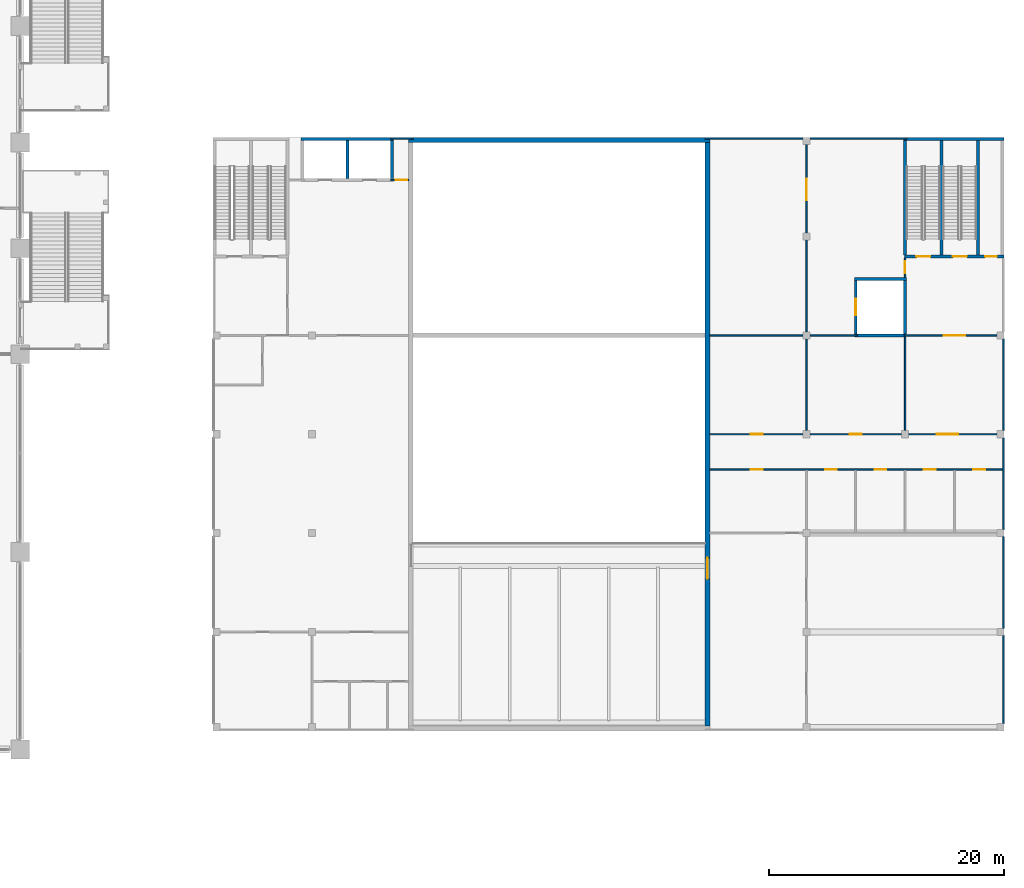
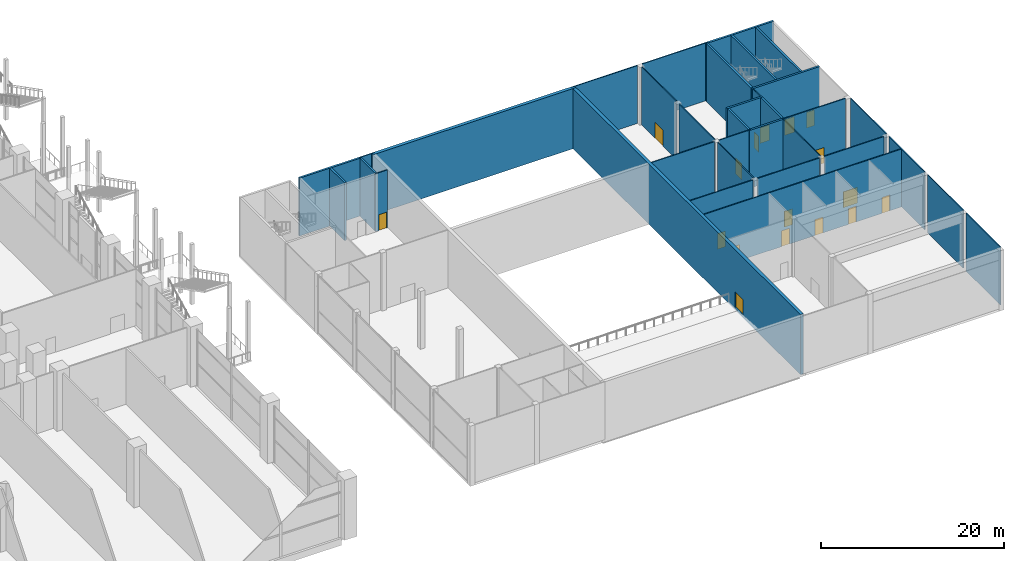
# One storey, part 32 of 52: 34 walls, 17 doors, 17 openings.
"""IFC4 building model written with IfcOpenShell, lengths in metres."""

from ifc_helpers import new_model, si_unit, direction, frame, frame_2d, origin, place, context, subcontext, project, spatial, rectangle, extrude, material, layer, layer_set, type_object, element, fill, save


model = new_model("IFC4")

# Units and contexts
model_context = context("Model", 3, precision=1e-05, world=origin(), true_north=direction((0.0, 1.0)))
body_context = subcontext(model_context, "Body", "Model", "MODEL_VIEW")
ifc_project = project(units=[si_unit("LENGTHUNIT", "METRE"), si_unit("AREAUNIT", "SQUARE_METRE"), si_unit("VOLUMEUNIT", "CUBIC_METRE"), si_unit("PLANEANGLEUNIT", "RADIAN"), si_unit("MASSUNIT", "GRAM", prefix="KILO")], contexts=[model_context])

# Site, building, storey
site_placement = place(None, origin())
site = spatial("IfcSite", under=ifc_project, at=site_placement, CompositionType="ELEMENT")
building_placement = place(site_placement, origin())
building = spatial("IfcBuilding", under=site, at=building_placement, Name="Candeia Pilgrim Tower and Theatre", CompositionType="ELEMENT")
storey_placement = place(building_placement, frame((0.0, 0.0, 9.0)))
storey = spatial("IfcBuildingStorey", under=building, at=storey_placement, Name="L01", CompositionType="ELEMENT", Elevation=9.0)

# Wall, openings, doors
ifc_material_1 = material(Name="Gypsum board on steel studs", Category="steel")
ifc_layer_1 = layer(ifc_material_1, 0.125)
ifc_layer_set_1 = layer_set([ifc_layer_1], Name="Partition 125")
wall_type_1 = type_object("IfcWallType", Name="Partition 125", PredefinedType="PARTITIONING", material=ifc_layer_set_1)
wall_1_placement = place(storey_placement, frame((218.199951171875, 88.199951171875, 0.0), z_axis=(0.0, 0.0, 1.0), x_axis=(1.0, 0.0, 0.0)))
wall_1 = element("IfcWall", 1, at=wall_1_placement, inside=storey, type_object=wall_type_1, Name="T-L01-W011", PredefinedType="PARTITIONING", context=body_context, shape_type="SweptSolid", body=[
    extrude(rectangle(XDim=24.875, YDim=0.125, at=frame_2d((12.4375, 0.0))), origin(), (0.0, 0.0, 1.0), 7.699951171875),
])
opening_1_placement = place(wall_1_placement, frame((3.5, 0.0, 0.0)))
opening_1 = element("IfcOpeningElement", 2, at=opening_1_placement, cuts=wall_1, Name="Opening TD-L01-025", PredefinedType="OPENING", context=body_context, shape_type="SweptSolid", body=[
    extrude(rectangle(XDim=1.0, YDim=2.10009765625, at=frame_2d((0.5, 1.050048828125))), frame((0.0, 0.072509765625, 0.0), z_axis=(0.0, -1.0, 0.0), x_axis=(1.0, 0.0, 0.0)), (0.0, 0.0, 1.0), 0.14501953125),
])
opening_2_placement = place(wall_1_placement, frame((9.800048828125, 0.0, 0.0)))
opening_2 = element("IfcOpeningElement", 3, at=opening_2_placement, cuts=wall_1, Name="Opening TD-L01-026", PredefinedType="OPENING", context=body_context, shape_type="SweptSolid", body=[
    extrude(rectangle(XDim=1.0, YDim=2.10009765625, at=frame_2d((0.5, 1.050048828125))), frame((0.0, 0.072509765625, 0.0), z_axis=(0.0, -1.0, 0.0), x_axis=(1.0, 0.0, 0.0)), (0.0, 0.0, 1.0), 0.14501953125),
])
opening_3_placement = place(wall_1_placement, frame((14.0, 0.0, 0.0)))
opening_3 = element("IfcOpeningElement", 4, at=opening_3_placement, cuts=wall_1, Name="Opening TD-L01-027", PredefinedType="OPENING", context=body_context, shape_type="SweptSolid", body=[
    extrude(rectangle(XDim=1.0, YDim=2.10009765625, at=frame_2d((0.5, 1.050048828125))), frame((0.0, 0.072509765625, 0.0), z_axis=(0.0, -1.0, 0.0), x_axis=(1.0, 0.0, 0.0)), (0.0, 0.0, 1.0), 0.14501953125),
])
opening_4_placement = place(wall_1_placement, frame((18.199951171875, 0.0, 0.0)))
opening_4 = element("IfcOpeningElement", 5, at=opening_4_placement, cuts=wall_1, Name="Opening TD-L01-028", PredefinedType="OPENING", context=body_context, shape_type="SweptSolid", body=[
    extrude(rectangle(XDim=1.0, YDim=2.10009765625, at=frame_2d((0.5, 1.050048828125))), frame((0.0, 0.072509765625, 0.0), z_axis=(0.0, -1.0, 0.0), x_axis=(1.0, 0.0, 0.0)), (0.0, 0.0, 1.0), 0.14501953125),
])
opening_5_placement = place(wall_1_placement, frame((22.39990234375, 0.0, 0.0)))
opening_5 = element("IfcOpeningElement", 6, at=opening_5_placement, cuts=wall_1, Name="Opening TD-L01-029", PredefinedType="OPENING", context=body_context, shape_type="SweptSolid", body=[
    extrude(rectangle(XDim=1.0, YDim=2.10009765625, at=frame_2d((0.5, 1.050048828125))), frame((0.0, 0.072509765625, 0.0), z_axis=(0.0, -1.0, 0.0), x_axis=(1.0, 0.0, 0.0)), (0.0, 0.0, 1.0), 0.14501953125),
])
ifc_material_2 = material(Name="Timber door leaf", Category="wood")
door_type_1 = type_object("IfcDoorType", Name="Door single 1000x2100", OperationType="NOTDEFINED", PredefinedType="DOOR", material=ifc_material_2)
door_1_placement = place(opening_1_placement, origin())
door_1 = element("IfcDoor", 7, at=door_1_placement, inside=storey, type_object=door_type_1, Name="Door TD-L01-025", OperationType="SINGLE_SWING_LEFT", OverallHeight=2.10009765625, OverallWidth=1.0, PredefinedType="DOOR", context=body_context, shape_type="SweptSolid", body=[
    extrude(rectangle(XDim=1.0, YDim=2.10009765625, at=frame_2d((0.5, 1.050048828125))), frame((0.0, 0.02490234375, 0.0), z_axis=(0.0, -1.0, 0.0), x_axis=(1.0, 0.0, 0.0)), (0.0, 0.0, 1.0), 0.050048828125),
])
fill(opening_1, door_1)
door_2_placement = place(opening_2_placement, origin())
door_2 = element("IfcDoor", 8, at=door_2_placement, inside=storey, type_object=door_type_1, Name="Door TD-L01-026", OperationType="SINGLE_SWING_RIGHT", OverallHeight=2.10009765625, OverallWidth=1.0, PredefinedType="DOOR", context=body_context, shape_type="SweptSolid", body=[
    extrude(rectangle(XDim=1.0, YDim=2.10009765625, at=frame_2d((0.5, 1.050048828125))), frame((0.0, 0.02490234375, 0.0), z_axis=(0.0, -1.0, 0.0), x_axis=(1.0, 0.0, 0.0)), (0.0, 0.0, 1.0), 0.050048828125),
])
fill(opening_2, door_2)
door_3_placement = place(opening_3_placement, origin())
door_3 = element("IfcDoor", 9, at=door_3_placement, inside=storey, type_object=door_type_1, Name="Door TD-L01-027", OperationType="SINGLE_SWING_LEFT", OverallHeight=2.10009765625, OverallWidth=1.0, PredefinedType="DOOR", context=body_context, shape_type="SweptSolid", body=[
    extrude(rectangle(XDim=1.0, YDim=2.10009765625, at=frame_2d((0.5, 1.050048828125))), frame((0.0, 0.02490234375, 0.0), z_axis=(0.0, -1.0, 0.0), x_axis=(1.0, 0.0, 0.0)), (0.0, 0.0, 1.0), 0.050048828125),
])
fill(opening_3, door_3)
door_4_placement = place(opening_4_placement, origin())
door_4 = element("IfcDoor", 10, at=door_4_placement, inside=storey, type_object=door_type_1, Name="Door TD-L01-028", OperationType="SINGLE_SWING_RIGHT", OverallHeight=2.10009765625, OverallWidth=1.0, PredefinedType="DOOR", context=body_context, shape_type="SweptSolid", body=[
    extrude(rectangle(XDim=1.0, YDim=2.10009765625, at=frame_2d((0.5, 1.050048828125))), frame((0.0, 0.02490234375, 0.0), z_axis=(0.0, -1.0, 0.0), x_axis=(1.0, 0.0, 0.0)), (0.0, 0.0, 1.0), 0.050048828125),
])
fill(opening_4, door_4)
door_5_placement = place(opening_5_placement, origin())
door_5 = element("IfcDoor", 11, at=door_5_placement, inside=storey, type_object=door_type_1, Name="Door TD-L01-029", OperationType="SINGLE_SWING_LEFT", OverallHeight=2.10009765625, OverallWidth=1.0, PredefinedType="DOOR", context=body_context, shape_type="SweptSolid", body=[
    extrude(rectangle(XDim=1.0, YDim=2.10009765625, at=frame_2d((0.5, 1.050048828125))), frame((0.0, 0.02490234375, 0.0), z_axis=(0.0, -1.0, 0.0), x_axis=(1.0, 0.0, 0.0)), (0.0, 0.0, 1.0), 0.050048828125),
])
fill(opening_5, door_5)

# Wall, opening, door
wall_2_placement = place(storey_placement, frame((218.199951171875, 91.199951171875, 0.0), z_axis=(0.0, 0.0, 1.0), x_axis=(1.0, 0.0, 0.0)))
wall_2 = element("IfcWall", 12, at=wall_2_placement, inside=storey, type_object=wall_type_1, Name="T-L01-W012", PredefinedType="PARTITIONING", context=body_context, shape_type="SweptSolid", body=[
    extrude(rectangle(XDim=7.900146484375, YDim=0.125, at=frame_2d((3.9501953125, 0.0))), origin(), (0.0, 0.0, 1.0), 7.699951171875),
])
opening_6_placement = place(wall_2_placement, frame((3.5, 0.0, 0.0)))
opening_6 = element("IfcOpeningElement", 13, at=opening_6_placement, cuts=wall_2, Name="Opening TD-L01-030", PredefinedType="OPENING", context=body_context, shape_type="SweptSolid", body=[
    extrude(rectangle(XDim=1.0, YDim=2.10009765625, at=frame_2d((0.5, 1.050048828125))), frame((0.0, 0.072509765625, 0.0), z_axis=(0.0, -1.0, 0.0), x_axis=(1.0, 0.0, 0.0)), (0.0, 0.0, 1.0), 0.14501953125),
])
door_6_placement = place(opening_6_placement, origin())
door_6 = element("IfcDoor", 14, at=door_6_placement, inside=storey, type_object=door_type_1, Name="Door TD-L01-030", OperationType="SINGLE_SWING_RIGHT", OverallHeight=2.10009765625, OverallWidth=1.0, PredefinedType="DOOR", context=body_context, shape_type="SweptSolid", body=[
    extrude(rectangle(XDim=1.0, YDim=2.10009765625, at=frame_2d((0.5, 1.050048828125))), frame((0.0, 0.02490234375, 0.0), z_axis=(0.0, -1.0, 0.0), x_axis=(1.0, 0.0, 0.0)), (0.0, 0.0, 1.0), 0.050048828125),
])
fill(opening_6, door_6)

wall_3_placement = place(storey_placement, frame((226.699951171875, 91.199951171875, 0.0), z_axis=(0.0, 0.0, 1.0), x_axis=(1.0, 0.0, 0.0)))
wall_3 = element("IfcWall", 15, at=wall_3_placement, inside=storey, type_object=wall_type_1, Name="T-L01-W013", PredefinedType="PARTITIONING", context=body_context, shape_type="SweptSolid", body=[
    extrude(rectangle(XDim=7.800048828125, YDim=0.125, at=frame_2d((3.89990234375, 0.0))), origin(), (0.0, 0.0, 1.0), 7.699951171875),
])
opening_7_placement = place(wall_3_placement, frame((3.39990234375, 0.0, 0.0)))
opening_7 = element("IfcOpeningElement", 16, at=opening_7_placement, cuts=wall_3, Name="Opening TD-L01-031", PredefinedType="OPENING", context=body_context, shape_type="SweptSolid", body=[
    extrude(rectangle(XDim=1.0, YDim=2.10009765625, at=frame_2d((0.5, 1.050048828125))), frame((0.0, 0.072509765625, 0.0), z_axis=(0.0, -1.0, 0.0), x_axis=(1.0, 0.0, 0.0)), (0.0, 0.0, 1.0), 0.14501953125),
])
door_7_placement = place(opening_7_placement, origin())
door_7 = element("IfcDoor", 17, at=door_7_placement, inside=storey, type_object=door_type_1, Name="Door TD-L01-031", OperationType="SINGLE_SWING_LEFT", OverallHeight=2.10009765625, OverallWidth=1.0, PredefinedType="DOOR", context=body_context, shape_type="SweptSolid", body=[
    extrude(rectangle(XDim=1.0, YDim=2.10009765625, at=frame_2d((0.5, 1.050048828125))), frame((0.0, 0.02490234375, 0.0), z_axis=(0.0, -1.0, 0.0), x_axis=(1.0, 0.0, 0.0)), (0.0, 0.0, 1.0), 0.050048828125),
])
fill(opening_7, door_7)

wall_4_placement = place(storey_placement, frame((235.10009765625, 91.199951171875, 0.0), z_axis=(0.0, 0.0, 1.0), x_axis=(1.0, 0.0, 0.0)))
wall_4 = element("IfcWall", 18, at=wall_4_placement, inside=storey, type_object=wall_type_1, Name="T-L01-W014", PredefinedType="PARTITIONING", context=body_context, shape_type="SweptSolid", body=[
    extrude(rectangle(XDim=7.5, YDim=0.125, at=frame_2d((3.75, 0.0))), origin(), (0.0, 0.0, 1.0), 7.699951171875),
])
opening_8_placement = place(wall_4_placement, frame((2.39990234375, 0.0, 0.0)))
opening_8 = element("IfcOpeningElement", 19, at=opening_8_placement, cuts=wall_4, Name="Opening TD-L01-032", PredefinedType="OPENING", context=body_context, shape_type="SweptSolid", body=[
    extrude(rectangle(XDim=1.800048828125, YDim=2.10009765625, at=frame_2d((0.89990234375, 1.050048828125))), frame((0.0, 0.072509765625, 0.0), z_axis=(0.0, -1.0, 0.0), x_axis=(1.0, 0.0, 0.0)), (0.0, 0.0, 1.0), 0.14501953125),
])
door_type_2 = type_object("IfcDoorType", Name="Door double 1800x2100", OperationType="DOUBLE_DOOR_SINGLE_SWING", PredefinedType="DOOR", material=ifc_material_2)
door_8_placement = place(opening_8_placement, origin())
door_8 = element("IfcDoor", 20, at=door_8_placement, inside=storey, type_object=door_type_2, Name="Door TD-L01-032", OperationType="DOUBLE_DOOR_SINGLE_SWING", OverallHeight=2.10009765625, OverallWidth=1.800048828125, PredefinedType="DOOR", context=body_context, shape_type="SweptSolid", body=[
    extrude(rectangle(XDim=1.800048828125, YDim=2.10009765625, at=frame_2d((0.89990234375, 1.050048828125))), frame((0.0, 0.02490234375, 0.0), z_axis=(0.0, -1.0, 0.0), x_axis=(1.0, 0.0, 0.0)), (0.0, 0.0, 1.0), 0.050048828125),
])
fill(opening_8, door_8)

# Walls
wall_5_placement = place(storey_placement, frame((218.199951171875, 99.60009765625, 0.0), z_axis=(0.0, 0.0, 1.0), x_axis=(1.0, 0.0, 0.0)))
element("IfcWall", 21, at=wall_5_placement, inside=storey, type_object=wall_type_1, Name="T-L01-W019", PredefinedType="PARTITIONING", context=body_context, shape_type="SweptSolid", body=[
    extrude(rectangle(XDim=7.900146484375, YDim=0.125, at=frame_2d((3.9501953125, 0.0))), origin(), (0.0, 0.0, 1.0), 7.699951171875),
])
wall_6_placement = place(storey_placement, frame((226.699951171875, 99.60009765625, 0.0), z_axis=(0.0, 0.0, 1.0), x_axis=(1.0, 0.0, 0.0)))
element("IfcWall", 22, at=wall_6_placement, inside=storey, type_object=wall_type_1, Name="T-L01-W020", PredefinedType="PARTITIONING", context=body_context, shape_type="SweptSolid", body=[
    extrude(rectangle(XDim=4.025146484375, YDim=0.125, at=frame_2d((2.0126953125, 0.0))), origin(), (0.0, 0.0, 1.0), 7.699951171875),
])

# Wall, opening, door
wall_7_placement = place(storey_placement, frame((234.737548828125, 99.60009765625, 0.0), z_axis=(0.0, 0.0, 1.0), x_axis=(1.0, 0.0, 0.0)))
wall_7 = element("IfcWall", 23, at=wall_7_placement, inside=storey, type_object=wall_type_1, Name="T-L01-W022", PredefinedType="PARTITIONING", context=body_context, shape_type="SweptSolid", body=[
    extrude(rectangle(XDim=7.862548828125, YDim=0.125, at=frame_2d((3.93115234375, 0.0))), origin(), (0.0, 0.0, 1.0), 7.699951171875),
])
opening_9_placement = place(wall_7_placement, frame((3.362548828125, 0.0, 0.0)))
opening_9 = element("IfcOpeningElement", 24, at=opening_9_placement, cuts=wall_7, Name="Opening TD-L01-033", PredefinedType="OPENING", context=body_context, shape_type="SweptSolid", body=[
    extrude(rectangle(XDim=1.800048828125, YDim=2.10009765625, at=frame_2d((0.89990234375, 1.050048828125))), frame((0.0, 0.072509765625, 0.0), z_axis=(0.0, -1.0, 0.0), x_axis=(1.0, 0.0, 0.0)), (0.0, 0.0, 1.0), 0.14501953125),
])
door_9_placement = place(opening_9_placement, origin())
door_9 = element("IfcDoor", 25, at=door_9_placement, inside=storey, type_object=door_type_2, Name="Door TD-L01-033", OperationType="DOUBLE_DOOR_SINGLE_SWING", OverallHeight=2.10009765625, OverallWidth=1.800048828125, PredefinedType="DOOR", context=body_context, shape_type="SweptSolid", body=[
    extrude(rectangle(XDim=1.800048828125, YDim=2.10009765625, at=frame_2d((0.89990234375, 1.050048828125))), frame((0.0, 0.02490234375, 0.0), z_axis=(0.0, -1.0, 0.0), x_axis=(1.0, 0.0, 0.0)), (0.0, 0.0, 1.0), 0.050048828125),
])
fill(opening_9, door_9)

wall_8_placement = place(storey_placement, frame((191.074951171875, 112.800048828125, 0.0), z_axis=(0.0, 0.0, 1.0), x_axis=(1.0, 0.0, 0.0)))
wall_8 = element("IfcWall", 26, at=wall_8_placement, inside=storey, type_object=wall_type_1, Name="T-L01-W028", PredefinedType="PARTITIONING", context=body_context, shape_type="SweptSolid", body=[
    extrude(rectangle(XDim=1.525146484375, YDim=0.125, at=frame_2d((0.7626953125, 0.0))), origin(), (0.0, 0.0, 1.0), 7.699951171875),
])
opening_10_placement = place(wall_8_placement, frame((0.425048828125, 0.0, 0.0)))
opening_10 = element("IfcOpeningElement", 27, at=opening_10_placement, cuts=wall_8, Name="Opening TD-L01-006", PredefinedType="OPENING", context=body_context, shape_type="SweptSolid", body=[
    extrude(rectangle(XDim=1.0, YDim=2.10009765625, at=frame_2d((0.5, 1.050048828125))), frame((0.0, 0.072509765625, 0.0), z_axis=(0.0, -1.0, 0.0), x_axis=(1.0, 0.0, 0.0)), (0.0, 0.0, 1.0), 0.14501953125),
])
ifc_material_3 = material(Name="Steel fire door leaf", Category="steel")
door_type_3 = type_object("IfcDoorType", Name="Door fire single 1000x2100", OperationType="NOTDEFINED", PredefinedType="DOOR", material=ifc_material_3)
door_10_placement = place(opening_10_placement, origin())
door_10 = element("IfcDoor", 28, at=door_10_placement, inside=storey, type_object=door_type_3, Name="Door TD-L01-006", OperationType="SINGLE_SWING_RIGHT", OverallHeight=2.10009765625, OverallWidth=1.0, PredefinedType="DOOR", context=body_context, shape_type="SweptSolid", body=[
    extrude(rectangle(XDim=1.0, YDim=2.10009765625, at=frame_2d((0.5, 1.050048828125))), frame((0.0, 0.02490234375, 0.0), z_axis=(0.0, -1.0, 0.0), x_axis=(1.0, 0.0, 0.0)), (0.0, 0.0, 1.0), 0.050048828125),
])
fill(opening_10, door_10)

# Walls
wall_9_placement = place(storey_placement, frame((191.074951171875, 116.33740234375, 0.0), z_axis=(0.0, 0.0, 1.0), x_axis=(1.0, 0.0, 0.0)))
element("IfcWall", 29, at=wall_9_placement, inside=storey, type_object=wall_type_1, Name="T-L01-W033", PredefinedType="PARTITIONING", context=body_context, shape_type="SweptSolid", body=[
    extrude(rectangle(XDim=1.925048828125, YDim=0.125, at=frame_2d((0.96240234375, 0.0))), origin(), (0.0, 0.0, 1.0), 7.699951171875),
])
wall_10_placement = place(storey_placement, frame((217.800048828125, 116.33740234375, 0.0), z_axis=(0.0, 0.0, 1.0), x_axis=(1.0, 0.0, 0.0)))
element("IfcWall", 30, at=wall_10_placement, inside=storey, type_object=wall_type_1, Name="T-L01-W034", PredefinedType="PARTITIONING", context=body_context, shape_type="SweptSolid", body=[
    extrude(rectangle(XDim=8.300048828125, YDim=0.125, at=frame_2d((4.14990234375, 0.0))), origin(), (0.0, 0.0, 1.0), 7.699951171875),
])
wall_11_placement = place(storey_placement, frame((226.699951171875, 116.33740234375, 0.0), z_axis=(0.0, 0.0, 1.0), x_axis=(1.0, 0.0, 0.0)))
element("IfcWall", 31, at=wall_11_placement, inside=storey, type_object=wall_type_1, Name="T-L01-W035", PredefinedType="PARTITIONING", context=body_context, shape_type="SweptSolid", body=[
    extrude(rectangle(XDim=8.22509765625, YDim=0.125, at=frame_2d((4.112548828125, 0.0))), origin(), (0.0, 0.0, 1.0), 7.699951171875),
])
for number, where, z_axis, x_axis, name in (
    (32, (226.39990234375, 91.5, 0.0), (0.0, 0.0, 1.0), (0.0, 1.0, 0.0), "T-L01-W053"),
    (33, (226.39990234375, 99.89990234375, 0.0), (0.0, 0.0, 1.0), (0.0, 1.0, 0.0), "T-L01-W054"),
):
    element("IfcWall", number, at=place(storey_placement, frame(where, z_axis=z_axis, x_axis=x_axis)), inside=storey, type_object=wall_type_1, Name=name, PredefinedType="PARTITIONING", context=body_context, shape_type="SweptSolid", body=[
        extrude(rectangle(XDim=7.800048828125, YDim=0.125, at=frame_2d((3.89990234375, 0.0))), origin(), (0.0, 0.0, 1.0), 7.699951171875),
    ])

# Wall, opening, door
wall_12_placement = place(storey_placement, frame((226.39990234375, 108.300048828125, 0.0), z_axis=(0.0, 0.0, 1.0), x_axis=(0.0, 1.0, 0.0)))
wall_12 = element("IfcWall", 34, at=wall_12_placement, inside=storey, type_object=wall_type_1, Name="T-L01-W055", PredefinedType="PARTITIONING", context=body_context, shape_type="SweptSolid", body=[
    extrude(rectangle(XDim=7.5, YDim=0.125, at=frame_2d((3.75, 0.0))), origin(), (0.0, 0.0, 1.0), 7.699951171875),
])
opening_11_placement = place(wall_12_placement, frame((2.800048828125, 0.0, 0.0)))
opening_11 = element("IfcOpeningElement", 35, at=opening_11_placement, cuts=wall_12, Name="Opening TD-L01-034", PredefinedType="OPENING", context=body_context, shape_type="SweptSolid", body=[
    extrude(rectangle(XDim=1.800048828125, YDim=2.10009765625, at=frame_2d((0.89990234375, 1.050048828125))), frame((0.0, 0.072509765625, 0.0), z_axis=(0.0, -1.0, 0.0), x_axis=(1.0, 0.0, 0.0)), (0.0, 0.0, 1.0), 0.14501953125),
])
door_11_placement = place(opening_11_placement, origin())
door_11 = element("IfcDoor", 36, at=door_11_placement, inside=storey, type_object=door_type_2, Name="Door TD-L01-034", OperationType="DOUBLE_DOOR_SINGLE_SWING", OverallHeight=2.10009765625, OverallWidth=1.800048828125, PredefinedType="DOOR", context=body_context, shape_type="SweptSolid", body=[
    extrude(rectangle(XDim=1.800048828125, YDim=2.10009765625, at=frame_2d((0.89990234375, 1.050048828125))), frame((0.0, 0.02490234375, 0.0), z_axis=(0.0, -1.0, 0.0), x_axis=(1.0, 0.0, 0.0)), (0.0, 0.0, 1.0), 0.050048828125),
])
fill(opening_11, door_11)

# Wall
wall_13_placement = place(storey_placement, frame((234.800048828125, 91.5, 0.0), z_axis=(0.0, 0.0, 1.0), x_axis=(0.0, 1.0, 0.0)))
element("IfcWall", 37, at=wall_13_placement, inside=storey, type_object=wall_type_1, Name="T-L01-W059", PredefinedType="PARTITIONING", context=body_context, shape_type="SweptSolid", body=[
    extrude(rectangle(XDim=7.97509765625, YDim=0.125, at=frame_2d((3.987548828125, 0.0))), origin(), (0.0, 0.0, 1.0), 7.699951171875),
])

# Wall, opening, door
wall_14_placement = place(storey_placement, frame((234.800048828125, 104.52490234375, 0.0), z_axis=(0.0, 0.0, 1.0), x_axis=(0.0, 1.0, 0.0)))
wall_14 = element("IfcWall", 38, at=wall_14_placement, inside=storey, type_object=wall_type_1, Name="T-L01-W061", PredefinedType="PARTITIONING", context=body_context, shape_type="SweptSolid", body=[
    extrude(rectangle(XDim=1.650146484375, YDim=0.125, at=frame_2d((0.8251953125, 0.0))), origin(), (0.0, 0.0, 1.0), 7.699951171875),
])
opening_12_placement = place(wall_14_placement, frame((0.375, 0.0, 0.0)))
opening_12 = element("IfcOpeningElement", 39, at=opening_12_placement, cuts=wall_14, Name="Opening TD-L01-010", PredefinedType="OPENING", context=body_context, shape_type="SweptSolid", body=[
    extrude(rectangle(XDim=1.0, YDim=2.10009765625, at=frame_2d((0.5, 1.050048828125))), frame((0.0, 0.072509765625, 0.0), z_axis=(0.0, -1.0, 0.0), x_axis=(1.0, 0.0, 0.0)), (0.0, 0.0, 1.0), 0.14501953125),
])
door_12_placement = place(opening_12_placement, origin())
door_12 = element("IfcDoor", 40, at=door_12_placement, inside=storey, type_object=door_type_3, Name="Door TD-L01-010", OperationType="SINGLE_SWING_RIGHT", OverallHeight=2.10009765625, OverallWidth=1.0, PredefinedType="DOOR", context=body_context, shape_type="SweptSolid", body=[
    extrude(rectangle(XDim=1.0, YDim=2.10009765625, at=frame_2d((0.5, 1.050048828125))), frame((0.0, 0.02490234375, 0.0), z_axis=(0.0, -1.0, 0.0), x_axis=(1.0, 0.0, 0.0)), (0.0, 0.0, 1.0), 0.050048828125),
])
fill(opening_12, door_12)

# Walls
wall_15_placement = place(storey_placement, frame((243.137451171875, 66.60009765625, 0.0), z_axis=(0.0, 0.0, 1.0), x_axis=(0.0, 1.0, 0.0)))
element("IfcWall", 41, at=wall_15_placement, inside=storey, type_object=wall_type_1, Name="T-L01-W067", PredefinedType="PARTITIONING", context=body_context, shape_type="SweptSolid", body=[
    extrude(rectangle(XDim=7.5, YDim=0.125, at=frame_2d((3.75, 0.0))), origin(), (0.0, 0.0, 1.0), 7.699951171875),
])
wall_16_placement = place(storey_placement, frame((243.137451171875, 74.699951171875, 0.0), z_axis=(0.0, 0.0, 1.0), x_axis=(0.0, 1.0, 0.0)))
element("IfcWall", 42, at=wall_16_placement, inside=storey, type_object=wall_type_1, Name="T-L01-W068", PredefinedType="PARTITIONING", context=body_context, shape_type="SweptSolid", body=[
    extrude(rectangle(XDim=7.800048828125, YDim=0.125, at=frame_2d((3.89990234375, 0.0))), origin(), (0.0, 0.0, 1.0), 7.699951171875),
])
wall_17_placement = place(storey_placement, frame((243.137451171875, 83.10009765625, 0.0), z_axis=(0.0, 0.0, 1.0), x_axis=(0.0, 1.0, 0.0)))
element("IfcWall", 43, at=wall_17_placement, inside=storey, type_object=wall_type_1, Name="T-L01-W069", PredefinedType="PARTITIONING", context=body_context, shape_type="SweptSolid", body=[
    extrude(rectangle(XDim=7.7998046875, YDim=0.125, at=frame_2d((3.89990234375, 0.0))), origin(), (0.0, 0.0, 1.0), 7.699951171875),
])
wall_18_placement = place(storey_placement, frame((243.137451171875, 91.5, 0.0), z_axis=(0.0, 0.0, 1.0), x_axis=(0.0, 1.0, 0.0)))
element("IfcWall", 44, at=wall_18_placement, inside=storey, type_object=wall_type_1, Name="T-L01-W070", PredefinedType="PARTITIONING", context=body_context, shape_type="SweptSolid", body=[
    extrude(rectangle(XDim=7.800048828125, YDim=0.125, at=frame_2d((3.89990234375, 0.0))), origin(), (0.0, 0.0, 1.0), 7.699951171875),
])
ifc_material_4 = material(Name="Concrete C35/45", Category="concrete")
ifc_layer_2 = layer(ifc_material_4, 0.25)
ifc_layer_set_2 = layer_set([ifc_layer_2], Name="RC wall 250 C35/45")
wall_type_2 = type_object("IfcWallType", Name="RC wall 250 C35/45", PredefinedType="SOLIDWALL", material=ifc_layer_set_2)
wall_19_placement = place(storey_placement, frame((230.47509765625, 99.60009765625, 0.0), z_axis=(0.0, 0.0, 1.0), x_axis=(1.0, 0.0, 0.0)))
element("IfcWall", 45, at=wall_19_placement, inside=storey, type_object=wall_type_2, Name="T-L01-W021", PredefinedType="SOLIDWALL", context=body_context, shape_type="SweptSolid", body=[
    extrude(rectangle(XDim=4.387451171875, YDim=0.25, at=frame_2d((2.19384765625, 0.0))), origin(), (0.0, 0.0, 1.0), 7.699951171875),
])
wall_20_placement = place(storey_placement, frame((230.47509765625, 104.39990234375, 0.0), z_axis=(0.0, 0.0, 1.0), x_axis=(1.0, 0.0, 0.0)))
element("IfcWall", 46, at=wall_20_placement, inside=storey, type_object=wall_type_2, Name="T-L01-W023", PredefinedType="SOLIDWALL", context=body_context, shape_type="SweptSolid", body=[
    extrude(rectangle(XDim=4.449951171875, YDim=0.25, at=frame_2d((2.22509765625, 0.0))), origin(), (0.0, 0.0, 1.0), 7.699951171875),
])

# Wall, openings, doors
wall_21_placement = place(storey_placement, frame((234.737548828125, 106.300048828125, 0.0), z_axis=(0.0, 0.0, 1.0), x_axis=(1.0, 0.0, 0.0)))
wall_21 = element("IfcWall", 47, at=wall_21_placement, inside=storey, type_object=wall_type_2, Name="T-L01-W025", PredefinedType="SOLIDWALL", context=body_context, shape_type="SweptSolid", body=[
    extrude(rectangle(XDim=8.46240234375, YDim=0.25, at=frame_2d((4.231201171875, 0.0))), origin(), (0.0, 0.0, 1.0), 7.699951171875),
])
opening_13_placement = place(wall_21_placement, frame((1.012451171875, 0.0, 0.0)))
opening_13 = element("IfcOpeningElement", 48, at=opening_13_placement, cuts=wall_21, Name="Opening TD-L01-007", PredefinedType="OPENING", context=body_context, shape_type="SweptSolid", body=[
    extrude(rectangle(XDim=1.199951171875, YDim=2.10009765625, at=frame_2d((0.60009765625, 1.050048828125))), frame((0.0, 0.135009765625, 0.0), z_axis=(0.0, -1.0, 0.0), x_axis=(1.0, 0.0, 0.0)), (0.0, 0.0, 1.0), 0.27001953125),
])
opening_14_placement = place(wall_21_placement, frame((4.112548828125, 0.0, 0.0)))
opening_14 = element("IfcOpeningElement", 49, at=opening_14_placement, cuts=wall_21, Name="Opening TD-L01-008", PredefinedType="OPENING", context=body_context, shape_type="SweptSolid", body=[
    extrude(rectangle(XDim=1.199951171875, YDim=2.10009765625, at=frame_2d((0.60009765625, 1.050048828125))), frame((0.0, 0.135009765625, 0.0), z_axis=(0.0, -1.0, 0.0), x_axis=(1.0, 0.0, 0.0)), (0.0, 0.0, 1.0), 0.27001953125),
])
opening_15_placement = place(wall_21_placement, frame((6.862548828125, 0.0, 0.0)))
opening_15 = element("IfcOpeningElement", 50, at=opening_15_placement, cuts=wall_21, Name="Opening TD-L01-009", PredefinedType="OPENING", context=body_context, shape_type="SweptSolid", body=[
    extrude(rectangle(XDim=1.0, YDim=2.10009765625, at=frame_2d((0.5, 1.050048828125))), frame((0.0, 0.135009765625, 0.0), z_axis=(0.0, -1.0, 0.0), x_axis=(1.0, 0.0, 0.0)), (0.0, 0.0, 1.0), 0.27001953125),
])
door_type_4 = type_object("IfcDoorType", Name="Door exit single 1200x2100", OperationType="NOTDEFINED", PredefinedType="DOOR", material=ifc_material_3)
door_13_placement = place(opening_13_placement, origin())
door_13 = element("IfcDoor", 51, at=door_13_placement, inside=storey, type_object=door_type_4, Name="Door TD-L01-007", OperationType="SINGLE_SWING_LEFT", OverallHeight=2.10009765625, OverallWidth=1.199951171875, PredefinedType="DOOR", context=body_context, shape_type="SweptSolid", body=[
    extrude(rectangle(XDim=1.199951171875, YDim=2.10009765625, at=frame_2d((0.60009765625, 1.050048828125))), frame((0.0, 0.02490234375, 0.0), z_axis=(0.0, -1.0, 0.0), x_axis=(1.0, 0.0, 0.0)), (0.0, 0.0, 1.0), 0.050048828125),
])
fill(opening_13, door_13)
door_14_placement = place(opening_14_placement, origin())
door_14 = element("IfcDoor", 52, at=door_14_placement, inside=storey, type_object=door_type_4, Name="Door TD-L01-008", OperationType="SINGLE_SWING_RIGHT", OverallHeight=2.10009765625, OverallWidth=1.199951171875, PredefinedType="DOOR", context=body_context, shape_type="SweptSolid", body=[
    extrude(rectangle(XDim=1.199951171875, YDim=2.10009765625, at=frame_2d((0.60009765625, 1.050048828125))), frame((0.0, 0.02490234375, 0.0), z_axis=(0.0, -1.0, 0.0), x_axis=(1.0, 0.0, 0.0)), (0.0, 0.0, 1.0), 0.050048828125),
])
fill(opening_14, door_14)
door_15_placement = place(opening_15_placement, origin())
door_15 = element("IfcDoor", 53, at=door_15_placement, inside=storey, type_object=door_type_3, Name="Door TD-L01-009", OperationType="SINGLE_SWING_LEFT", OverallHeight=2.10009765625, OverallWidth=1.0, PredefinedType="DOOR", context=body_context, shape_type="SweptSolid", body=[
    extrude(rectangle(XDim=1.0, YDim=2.10009765625, at=frame_2d((0.5, 1.050048828125))), frame((0.0, 0.02490234375, 0.0), z_axis=(0.0, -1.0, 0.0), x_axis=(1.0, 0.0, 0.0)), (0.0, 0.0, 1.0), 0.050048828125),
])
fill(opening_15, door_15)

# Walls
wall_22_placement = place(storey_placement, frame((183.47509765625, 116.27490234375, 0.0), z_axis=(0.0, 0.0, 1.0), x_axis=(1.0, 0.0, 0.0)))
element("IfcWall", 54, at=wall_22_placement, inside=storey, type_object=wall_type_2, Name="T-L01-W031", PredefinedType="SOLIDWALL", context=body_context, shape_type="SweptSolid", body=[
    extrude(rectangle(XDim=7.849853515625, YDim=0.25, at=frame_2d((3.9248046875, 0.0))), origin(), (0.0, 0.0, 1.0), 7.699951171875),
])
wall_23_placement = place(storey_placement, frame((234.675048828125, 116.27490234375, 0.0), z_axis=(0.0, 0.0, 1.0), x_axis=(1.0, 0.0, 0.0)))
element("IfcWall", 55, at=wall_23_placement, inside=storey, type_object=wall_type_2, Name="T-L01-W032", PredefinedType="SOLIDWALL", context=body_context, shape_type="SweptSolid", body=[
    extrude(rectangle(XDim=8.52490234375, YDim=0.25, at=frame_2d((4.262451171875, 0.0))), origin(), (0.0, 0.0, 1.0), 7.699951171875),
])
for number, where, z_axis, x_axis, name in (
    (56, (187.39990234375, 112.925048828125, 0.0), (0.0, 0.0, 1.0), (0.0, 1.0, 0.0), "T-L01-W044"),
    (57, (191.199951171875, 112.925048828125, 0.0), (0.0, 0.0, 1.0), (0.0, 1.0, 0.0), "T-L01-W047"),
):
    element("IfcWall", number, at=place(storey_placement, frame(where, z_axis=z_axis, x_axis=x_axis)), inside=storey, type_object=wall_type_2, Name=name, PredefinedType="SOLIDWALL", context=body_context, shape_type="SweptSolid", body=[
        extrude(rectangle(XDim=3.224853515625, YDim=0.25, at=frame_2d((1.6123046875, 0.0))), origin(), (0.0, 0.0, 1.0), 7.699951171875),
    ])

# Wall, opening, door
wall_24_placement = place(storey_placement, frame((230.60009765625, 99.66259765625, 0.0), z_axis=(0.0, 0.0, 1.0), x_axis=(0.0, 1.0, 0.0)))
wall_24 = element("IfcWall", 58, at=wall_24_placement, inside=storey, type_object=wall_type_2, Name="T-L01-W057", PredefinedType="SOLIDWALL", context=body_context, shape_type="SweptSolid", body=[
    extrude(rectangle(XDim=4.6123046875, YDim=0.25, at=frame_2d((2.30615234375, 0.0))), origin(), (0.0, 0.0, 1.0), 7.699951171875),
])
opening_16_placement = place(wall_24_placement, frame((1.637451171875, 0.0, 0.0)))
opening_16 = element("IfcOpeningElement", 59, at=opening_16_placement, cuts=wall_24, Name="Opening TD-L01-011", PredefinedType="OPENING", context=body_context, shape_type="SweptSolid", body=[
    extrude(rectangle(XDim=1.39990234375, YDim=2.10009765625, at=frame_2d((0.699951171875, 1.050048828125))), frame((0.0, 0.135009765625, 0.0), z_axis=(0.0, -1.0, 0.0), x_axis=(1.0, 0.0, 0.0)), (0.0, 0.0, 1.0), 0.27001953125),
])
ifc_material_5 = material(Name="Stainless steel landing door", Category="steel")
door_type_5 = type_object("IfcDoorType", Name="Door goods lift landing 1400x2100", OperationType="DOUBLE_DOOR_SLIDING", PredefinedType="DOOR", material=ifc_material_5)
door_16_placement = place(opening_16_placement, origin())
door_16 = element("IfcDoor", 60, at=door_16_placement, inside=storey, type_object=door_type_5, Name="Door TD-L01-011", OperationType="DOUBLE_DOOR_SLIDING", OverallHeight=2.10009765625, OverallWidth=1.39990234375, PredefinedType="DOOR", context=body_context, shape_type="SweptSolid", body=[
    extrude(rectangle(XDim=1.39990234375, YDim=2.10009765625, at=frame_2d((0.699951171875, 1.050048828125))), frame((0.0, 0.02490234375, 0.0), z_axis=(0.0, -1.0, 0.0), x_axis=(1.0, 0.0, 0.0)), (0.0, 0.0, 1.0), 0.050048828125),
])
fill(opening_16, door_16)

# Walls
wall_25_placement = place(storey_placement, frame((234.800048828125, 99.72509765625, 0.0), z_axis=(0.0, 0.0, 1.0), x_axis=(0.0, 1.0, 0.0)))
element("IfcWall", 61, at=wall_25_placement, inside=storey, type_object=wall_type_2, Name="T-L01-W060", PredefinedType="SOLIDWALL", context=body_context, shape_type="SweptSolid", body=[
    extrude(rectangle(XDim=4.5498046875, YDim=0.25, at=frame_2d((2.27490234375, 0.0))), origin(), (0.0, 0.0, 1.0), 7.699951171875),
])
wall_26_placement = place(storey_placement, frame((234.800048828125, 106.425048828125, 0.0), z_axis=(0.0, 0.0, 1.0), x_axis=(0.0, 1.0, 0.0)))
element("IfcWall", 62, at=wall_26_placement, inside=storey, type_object=wall_type_2, Name="T-L01-W062", PredefinedType="SOLIDWALL", context=body_context, shape_type="SweptSolid", body=[
    extrude(rectangle(XDim=9.849853515625, YDim=0.25, at=frame_2d((4.9248046875, 0.0))), origin(), (0.0, 0.0, 1.0), 7.699951171875),
])
for number, where, z_axis, x_axis, name in (
    (63, (237.89990234375, 106.425048828125, 0.0), (0.0, 0.0, 1.0), (0.0, 1.0, 0.0), "T-L01-W063"),
    (64, (241.0, 106.425048828125, 0.0), (0.0, 0.0, 1.0), (0.0, 1.0, 0.0), "T-L01-W065"),
):
    element("IfcWall", number, at=place(storey_placement, frame(where, z_axis=z_axis, x_axis=x_axis)), inside=storey, type_object=wall_type_2, Name=name, PredefinedType="SOLIDWALL", context=body_context, shape_type="SweptSolid", body=[
        extrude(rectangle(XDim=9.724853515625, YDim=0.25, at=frame_2d((4.8623046875, 0.0))), origin(), (0.0, 0.0, 1.0), 7.699951171875),
    ])
ifc_material_6 = material(Name="Concrete C40/50", Category="concrete")
ifc_layer_3 = layer(ifc_material_6, 0.39990234375)
ifc_layer_set_3 = layer_set([ifc_layer_3], Name="RC wall 400 house C40/50")
wall_type_3 = type_object("IfcWallType", Name="RC wall 400 house C40/50", PredefinedType="SOLIDWALL", material=ifc_layer_set_3)
wall_27_placement = place(storey_placement, frame((192.60009765625, 116.199951171875, -0.300048828125), z_axis=(0.0, 0.0, 1.0), x_axis=(1.0, 0.0, 0.0)))
element("IfcWall", 65, at=wall_27_placement, inside=storey, type_object=wall_type_3, Name="T-L01-W029", PredefinedType="SOLIDWALL", context=body_context, shape_type="SweptSolid", body=[
    extrude(rectangle(XDim=25.599853515625, YDim=0.39990234375, at=frame_2d((12.7998046875, 0.0))), origin(), (0.0, 0.0, 1.0), 8.0),
])

# Wall, opening, door
wall_28_placement = place(storey_placement, frame((218.0, 66.39990234375, -0.300048828125), z_axis=(0.0, 0.0, 1.0), x_axis=(0.0, 1.0, 0.0)))
wall_28 = element("IfcWall", 66, at=wall_28_placement, inside=storey, type_object=wall_type_3, Name="T-L01-W049", PredefinedType="SOLIDWALL", context=body_context, shape_type="SweptSolid", body=[
    extrude(rectangle(XDim=49.60009765625, YDim=0.39990234375, at=frame_2d((24.800048828125, 0.0))), origin(), (0.0, 0.0, 1.0), 8.0),
])
opening_17_placement = place(wall_28_placement, frame((12.5, 0.0, 0.300048828125)))
opening_17 = element("IfcOpeningElement", 67, at=opening_17_placement, cuts=wall_28, Name="Opening TD-L01-023", PredefinedType="OPENING", context=body_context, shape_type="SweptSolid", body=[
    extrude(rectangle(XDim=1.800048828125, YDim=2.10009765625, at=frame_2d((0.89990234375, 1.050048828125))), frame((0.0, 0.2099609375, 0.0), z_axis=(0.0, -1.0, 0.0), x_axis=(1.0, 0.0, 0.0)), (0.0, 0.0, 1.0), 0.419921875),
])
door_17_placement = place(opening_17_placement, origin())
door_17 = element("IfcDoor", 68, at=door_17_placement, inside=storey, type_object=door_type_2, Name="Door TD-L01-023", OperationType="DOUBLE_DOOR_SINGLE_SWING", OverallHeight=2.10009765625, OverallWidth=1.800048828125, PredefinedType="DOOR", context=body_context, shape_type="SweptSolid", body=[
    extrude(rectangle(XDim=1.800048828125, YDim=2.10009765625, at=frame_2d((0.89990234375, 1.050048828125))), frame((0.0, 0.02490234375, 0.0), z_axis=(0.0, -1.0, 0.0), x_axis=(1.0, 0.0, 0.0)), (0.0, 0.0, 1.0), 0.050048828125),
])
fill(opening_17, door_17)

save(model, "model.ifc")
